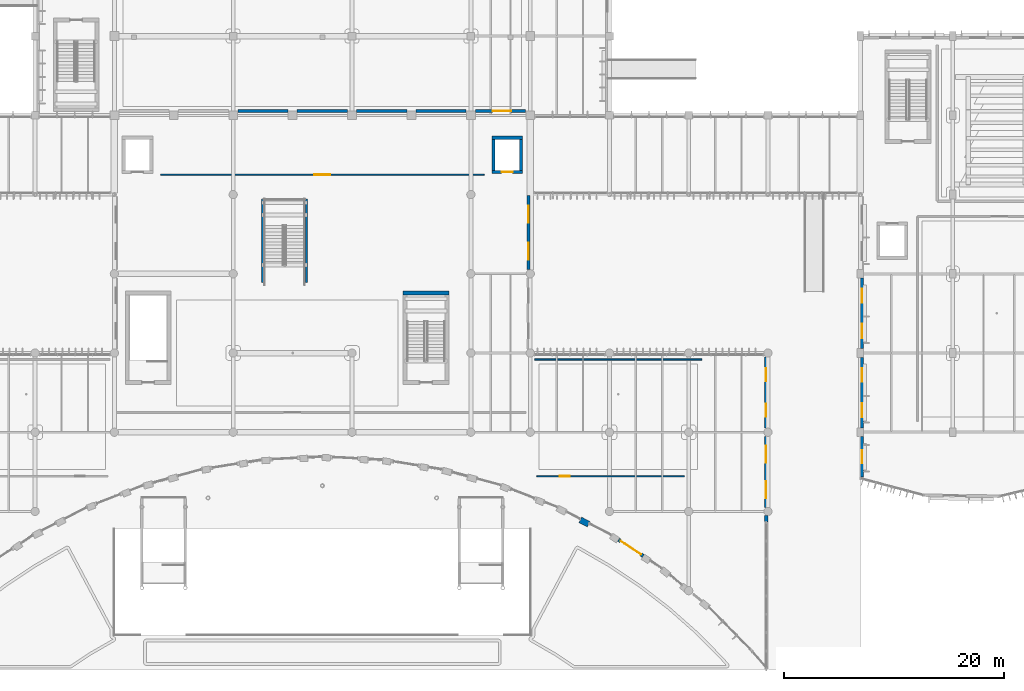
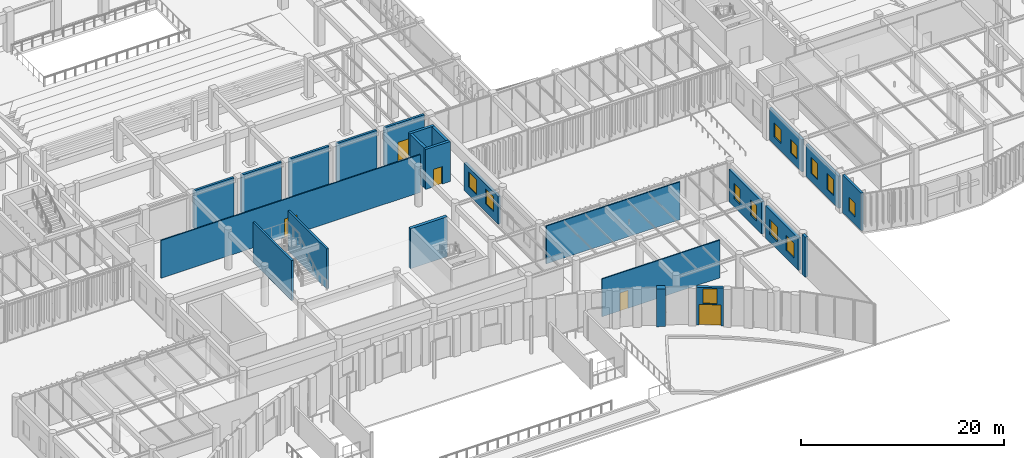
# One storey, part 34 of 122: 24 walls, 12 windows, 5 doors, 17 openings.
"""IFC4 building model written with IfcOpenShell, lengths in metres."""

from ifc_helpers import new_model, si_unit, direction, frame, frame_2d, origin, place, context, subcontext, project, spatial, rectangle, extrude, material, layer, layer_set, type_object, element, fill, save


model = new_model("IFC4")

# Units and contexts
model_context = context("Model", 3, precision=1e-05, world=origin(), true_north=direction((0.0, 1.0)))
body_context = subcontext(model_context, "Body", "Model", "MODEL_VIEW")
ifc_project = project(units=[si_unit("LENGTHUNIT", "METRE"), si_unit("AREAUNIT", "SQUARE_METRE"), si_unit("VOLUMEUNIT", "CUBIC_METRE"), si_unit("PLANEANGLEUNIT", "RADIAN"), si_unit("MASSUNIT", "GRAM", prefix="KILO")], contexts=[model_context])

# Site, building, storey
site_placement = place(None, origin())
site = spatial("IfcSite", under=ifc_project, at=site_placement, CompositionType="ELEMENT")
building_placement = place(site_placement, origin())
building = spatial("IfcBuilding", under=site, at=building_placement, Name="Tazoul Stagehouse", CompositionType="ELEMENT")
storey_placement = place(building_placement, origin())
storey = spatial("IfcBuildingStorey", under=building, at=storey_placement, Name="L00", CompositionType="ELEMENT", Elevation=0.0)

# Wall, opening, door
ifc_material_1 = material(Name="Gypsum Acoustic Partition", Category="gypsum")
ifc_layer_1 = layer(ifc_material_1, 0.25, Name="Gypsum Acoustic Partition")
ifc_layer_set_1 = layer_set([ifc_layer_1], Name="Gypsum Acoustic Partition")
wall_type_1 = type_object("IfcWallType", Name="Acoustic Hall Double-Stud Partition 250", PredefinedType="PARTITIONING", material=ifc_layer_set_1)
wall_1_placement = place(storey_placement, frame((94.97998046875, 52.199951171875, 0.0), z_axis=(0.0, 0.0, 1.0), x_axis=(-1.0, 0.0, 0.0)))
wall_1 = element("IfcWall", 1, at=wall_1_placement, inside=storey, type_object=wall_type_1, Name="L00 Partition PW-250 (PW-RM-L00-019-S-S1)", PredefinedType="PARTITIONING", context=body_context, shape_type="SweptSolid", body=[
    extrude(rectangle(XDim=4.56005859375, YDim=0.25, at=frame_2d((2.280029296875, 0.0))), origin(), (0.0, 0.0, 1.0), 4.5400390625),
])
opening_1_placement = place(wall_1_placement, frame((1.31005859375, 0.0, 0.0)))
opening_1 = element("IfcOpeningElement", 2, at=opening_1_placement, cuts=wall_1, Name="Opening ID-14", PredefinedType="OPENING", context=body_context, shape_type="SweptSolid", body=[
    extrude(rectangle(XDim=1.699951171875, YDim=2.25, at=frame_2d((0.85009765625, 1.125))), frame((0.0, 0.14501953125, 0.0), z_axis=(0.0, -1.0, 0.0), x_axis=(1.0, 0.0, 0.0)), (0.0, 0.0, 1.0), 0.2900390625),
])
ifc_material_2 = material(Name="Acoustic Cedar Timber", Category="wood")
door_type_1 = type_object("IfcDoorType", Name="Auditorium Acoustic Sound-Lock Door 1700x2250", OperationType="DOUBLE_DOOR_SINGLE_SWING", PredefinedType="DOOR", material=ifc_material_2)
door_1_placement = place(opening_1_placement, origin())
door_1 = element("IfcDoor", 3, at=door_1_placement, inside=storey, type_object=door_type_1, Name="L00 Main Proscenium Theatre Auditorium Door", OperationType="DOUBLE_DOOR_SINGLE_SWING", OverallHeight=2.25, OverallWidth=1.699951171875, PredefinedType="DOOR", context=body_context, shape_type="SweptSolid", body=[
    extrude(rectangle(XDim=1.699951171875, YDim=2.25, at=frame_2d((0.85009765625, 1.125))), frame((0.0, 0.02490234375, 0.0), z_axis=(0.0, -1.0, 0.0), x_axis=(1.0, 0.0, 0.0)), (0.0, 0.0, 1.0), 0.050048828125),
])
fill(opening_1, door_1)

# Walls
wall_2_placement = place(storey_placement, frame((89.580078125, 52.199951171875, 0.0), z_axis=(0.0, 0.0, 1.0), x_axis=(-1.0, 0.0, 0.0)))
element("IfcWall", 4, at=wall_2_placement, inside=storey, type_object=wall_type_1, Name="L00 Partition PW-250 (PW-RM-L00-019-S-S2)", PredefinedType="PARTITIONING", context=body_context, shape_type="SweptSolid", body=[
    extrude(rectangle(XDim=4.56005859375, YDim=0.25, at=frame_2d((2.280029296875, 0.0))), origin(), (0.0, 0.0, 1.0), 4.5400390625),
])
wall_3_placement = place(storey_placement, frame((84.179931640625, 52.199951171875, 0.0), z_axis=(0.0, 0.0, 1.0), x_axis=(-1.0, 0.0, 0.0)))
element("IfcWall", 5, at=wall_3_placement, inside=storey, type_object=wall_type_1, Name="L00 Partition PW-250 (PW-RM-L00-019-S-S3)", PredefinedType="PARTITIONING", context=body_context, shape_type="SweptSolid", body=[
    extrude(rectangle(XDim=4.559814453125, YDim=0.25, at=frame_2d((2.27978515625, 0.0))), origin(), (0.0, 0.0, 1.0), 4.5400390625),
])
wall_4_placement = place(storey_placement, frame((78.780029296875, 52.199951171875, 0.0), z_axis=(0.0, 0.0, 1.0), x_axis=(-1.0, 0.0, 0.0)))
element("IfcWall", 6, at=wall_4_placement, inside=storey, type_object=wall_type_1, Name="L00 Partition PW-250 (PW-RM-L00-019-S-S4)", PredefinedType="PARTITIONING", context=body_context, shape_type="SweptSolid", body=[
    extrude(rectangle(XDim=4.56005859375, YDim=0.25, at=frame_2d((2.280029296875, 0.0))), origin(), (0.0, 0.0, 1.0), 4.5400390625),
])
wall_5_placement = place(storey_placement, frame((73.3798828125, 52.199951171875, 0.0), z_axis=(0.0, 0.0, 1.0), x_axis=(-1.0, 0.0, 0.0)))
element("IfcWall", 7, at=wall_5_placement, inside=storey, type_object=wall_type_1, Name="L00 Partition PW-250 (PW-RM-L00-019-S-S5)", PredefinedType="PARTITIONING", context=body_context, shape_type="SweptSolid", body=[
    extrude(rectangle(XDim=4.559814453125, YDim=0.25, at=frame_2d((2.27978515625, 0.0))), origin(), (0.0, 0.0, 1.0), 4.5400390625),
])
ifc_material_3 = material(Name="Ochre Pressed Clay Brick and Concrete C35/45 Backing", Category="masonry")
ifc_layer_2 = layer(ifc_material_3, 0.56005859375, Name="Ochre Pressed Clay Brick and Concrete C35/45 Backing")
ifc_layer_set_2 = layer_set([ifc_layer_2], Name="Ochre Pressed Clay Brick and Concrete C35/45 Backing")
wall_type_2 = type_object("IfcWallType", Name="Concave Crescent Deep Sculpted Brick Pier 560", PredefinedType="SOLIDWALL", material=ifc_layer_set_2)
wall_6_placement = place(storey_placement, frame((99.941162109375, 15.031982421875, 0.0), z_axis=(0.0, 0.0, 1.0), x_axis=(0.88838537898, -0.459098484439, 0.0)))
element("IfcWall", 8, at=wall_6_placement, inside=storey, type_object=wall_type_2, Name="L00 Wall EW-560 (WALL-V5-PIER-C14-2)", PredefinedType="SOLIDWALL", context=body_context, shape_type="SweptSolid", body=[
    extrude(rectangle(XDim=0.85986328125, YDim=0.56005859375, at=frame_2d((0.429931640625, 0.0))), origin(), (0.0, 0.0, 1.0), 4.5400390625),
])

# Wall, openings, window, door
ifc_material_4 = material(Name="Ochre Fired Clay Facing Brick Masonry", Category="masonry")
ifc_layer_3 = layer(ifc_material_4, 0.320068359375, Name="Ochre Fired Clay Facing Brick Masonry")
ifc_layer_set_3 = layer_set([ifc_layer_3], Name="Ochre Fired Clay Facing Brick Masonry")
wall_type_3 = type_object("IfcWallType", Name="Concave Crescent Ochre Brick Facade Wall 320", PredefinedType="SOLIDWALL", material=ifc_layer_set_3)
wall_7_placement = place(storey_placement, frame((103.423828125, 13.2314453125, 0.0), z_axis=(0.0, 0.0, 1.0), x_axis=(0.834786932097, -0.550573135923, 0.0)))
wall_7 = element("IfcWall", 9, at=wall_7_placement, inside=storey, type_object=wall_type_3, Name="L00 Wall EW-320 (WALL-V5-ENT-C15)", PredefinedType="SOLIDWALL", context=body_context, shape_type="SweptSolid", body=[
    extrude(rectangle(XDim=2.68017578125, YDim=0.320068359375, at=frame_2d((1.340087890625, 0.0))), origin(), (0.0, 0.0, 1.0), 4.5400390625),
])
opening_2_placement = place(wall_7_placement, frame((0.639892578125, 0.0, 2.580078125)))
opening_2 = element("IfcOpeningElement", 10, at=opening_2_placement, cuts=wall_7, Name="Opening WN-04", PredefinedType="OPENING", context=body_context, shape_type="SweptSolid", body=[
    extrude(rectangle(XDim=1.39990234375, YDim=1.800048828125, at=frame_2d((0.699951171875, 0.89990234375))), frame((0.0, 0.179931640625, 0.0), z_axis=(0.0, -1.0, 0.0), x_axis=(1.0, 0.0, 0.0)), (0.0, 0.0, 1.0), 0.360107421875),
])
opening_3_placement = place(wall_7_placement, frame((0.239990234375, 0.0, 0.0)))
opening_3 = element("IfcOpeningElement", 11, at=opening_3_placement, cuts=wall_7, Name="Opening ED-01", PredefinedType="OPENING", context=body_context, shape_type="SweptSolid", body=[
    extrude(rectangle(XDim=2.199951171875, YDim=2.5, at=frame_2d((1.10009765625, 1.25))), frame((0.0, 0.179931640625, 0.0), z_axis=(0.0, -1.0, 0.0), x_axis=(1.0, 0.0, 0.0)), (0.0, 0.0, 1.0), 0.360107421875),
])
ifc_material_5 = material(Name="Double Low-E Acoustic Laminated Glass", Category="glass")
window_type_1 = type_object("IfcWindowType", Name="Clerestory Acoustic Fixed Light 1400x1800", PartitioningType="SINGLE_PANEL", PredefinedType="WINDOW", material=ifc_material_5)
window_1_placement = place(opening_2_placement, origin())
window_1 = element("IfcWindow", 12, at=window_1_placement, inside=storey, type_object=window_type_1, Name="L00 Window WN-04 (WN-V5-TRN-C15)", OverallHeight=1.800048828125, OverallWidth=1.39990234375, PartitioningType="SINGLE_PANEL", PredefinedType="WINDOW", context=body_context, shape_type="SweptSolid", body=[
    extrude(rectangle(XDim=1.39990234375, YDim=1.800048828125, at=frame_2d((0.699951171875, 0.89990234375))), frame((0.0, 0.030029296875, 0.0), z_axis=(0.0, -1.0, 0.0), x_axis=(1.0, 0.0, 0.0)), (0.0, 0.0, 1.0), 0.06005859375),
])
fill(opening_2, window_1)
door_type_2 = type_object("IfcDoorType", Name="Main Foyer Glazed Double Entrance Door 2200x2500", OperationType="DOUBLE_SWING_LEFT", PredefinedType="DOOR", material=ifc_material_5)
door_2_placement = place(opening_3_placement, origin())
door_2 = element("IfcDoor", 13, at=door_2_placement, inside=storey, type_object=door_type_2, Name="L00 Door ED-01 (DR-V5-L00-C15)", OperationType="SINGLE_SWING_LEFT", OverallHeight=2.5, OverallWidth=2.199951171875, PredefinedType="DOOR", context=body_context, shape_type="SweptSolid", body=[
    extrude(rectangle(XDim=2.199951171875, YDim=2.5, at=frame_2d((1.10009765625, 1.25))), frame((0.0, 0.02490234375, 0.0), z_axis=(0.0, -1.0, 0.0), x_axis=(1.0, 0.0, 0.0)), (0.0, 0.0, 1.0), 0.050048828125),
])
fill(opening_3, door_2)

# Wall
wall_8_placement = place(storey_placement, frame((116.840087890625, 14.820068359375, 0.0), z_axis=(0.0, 0.0, 1.0), x_axis=(0.0, 1.0, 0.0)))
element("IfcWall", 14, at=wall_8_placement, inside=storey, type_object=wall_type_3, Name="L00 Wall EW-320 (WALL-V5-E-L00-S1)", PredefinedType="SOLIDWALL", context=body_context, shape_type="SweptSolid", body=[
    extrude(rectangle(XDim=0.599853515625, YDim=0.320068359375, at=frame_2d((0.2998046875, 0.0))), origin(), (0.0, 0.0, 1.0), 4.800048828125),
])

# Wall, openings, windows
wall_9_placement = place(storey_placement, frame((116.840087890625, 16.179931640625, 0.0), z_axis=(0.0, 0.0, 1.0), x_axis=(0.0, 1.0, 0.0)))
wall_9 = element("IfcWall", 15, at=wall_9_placement, inside=storey, type_object=wall_type_3, Name="L00 Wall EW-320 (WALL-V5-E-L00-S2)", PredefinedType="SOLIDWALL", context=body_context, shape_type="SweptSolid", body=[
    extrude(rectangle(XDim=6.440185546875, YDim=0.320068359375, at=frame_2d((3.22021484375, 0.0))), origin(), (0.0, 0.0, 1.0), 3.873046875),
])
opening_4_placement = place(wall_9_placement, frame((0.8349609375, 0.0, 0.949951171875)))
opening_4 = element("IfcOpeningElement", 16, at=opening_4_placement, cuts=wall_9, Name="Opening WN-29", PredefinedType="OPENING", context=body_context, shape_type="SweptSolid", body=[
    extrude(rectangle(XDim=1.550048828125, YDim=1.800048828125, at=frame_2d((0.77490234375, 0.89990234375))), frame((0.0, 0.179931640625, 0.0), z_axis=(0.0, -1.0, 0.0), x_axis=(1.0, 0.0, 0.0)), (0.0, 0.0, 1.0), 0.360107421875),
])
opening_5_placement = place(wall_9_placement, frame((4.054931640625, 0.0, 0.949951171875)))
opening_5 = element("IfcOpeningElement", 17, at=opening_5_placement, cuts=wall_9, Name="Opening WN-29", PredefinedType="OPENING", context=body_context, shape_type="SweptSolid", body=[
    extrude(rectangle(XDim=1.550048828125, YDim=1.800048828125, at=frame_2d((0.77490234375, 0.89990234375))), frame((0.0, 0.179931640625, 0.0), z_axis=(0.0, -1.0, 0.0), x_axis=(1.0, 0.0, 0.0)), (0.0, 0.0, 1.0), 0.360107421875),
])
window_type_2 = type_object("IfcWindowType", Name="Black-Box Studio Window 1550x1800", PartitioningType="SINGLE_PANEL", PredefinedType="WINDOW", material=ifc_material_5)
window_2_placement = place(opening_4_placement, origin())
window_2 = element("IfcWindow", 18, at=window_2_placement, inside=storey, type_object=window_type_2, Name="L00 Window WN-29 (WALL-V5-E-L00-S2-W1)", OverallHeight=1.800048828125, OverallWidth=1.550048828125, PartitioningType="SINGLE_PANEL", PredefinedType="WINDOW", context=body_context, shape_type="SweptSolid", body=[
    extrude(rectangle(XDim=1.550048828125, YDim=1.800048828125, at=frame_2d((0.77490234375, 0.89990234375))), frame((0.0, 0.030029296875, 0.0), z_axis=(0.0, -1.0, 0.0), x_axis=(1.0, 0.0, 0.0)), (0.0, 0.0, 1.0), 0.06005859375),
])
fill(opening_4, window_2)
window_3_placement = place(opening_5_placement, origin())
window_3 = element("IfcWindow", 19, at=window_3_placement, inside=storey, type_object=window_type_2, Name="L00 Window WN-29 (WALL-V5-E-L00-S2-W2)", OverallHeight=1.800048828125, OverallWidth=1.550048828125, PartitioningType="SINGLE_PANEL", PredefinedType="WINDOW", context=body_context, shape_type="SweptSolid", body=[
    extrude(rectangle(XDim=1.550048828125, YDim=1.800048828125, at=frame_2d((0.77490234375, 0.89990234375))), frame((0.0, 0.030029296875, 0.0), z_axis=(0.0, -1.0, 0.0), x_axis=(1.0, 0.0, 0.0)), (0.0, 0.0, 1.0), 0.06005859375),
])
fill(opening_5, window_3)

wall_10_placement = place(storey_placement, frame((116.840087890625, 23.3798828125, 0.0), z_axis=(0.0, 0.0, 1.0), x_axis=(0.0, 1.0, 0.0)))
wall_10 = element("IfcWall", 20, at=wall_10_placement, inside=storey, type_object=wall_type_3, Name="L00 Wall EW-320 (WALL-V5-E-L00-S3)", PredefinedType="SOLIDWALL", context=body_context, shape_type="SweptSolid", body=[
    extrude(rectangle(XDim=6.440185546875, YDim=0.320068359375, at=frame_2d((3.22021484375, 0.0))), origin(), (0.0, 0.0, 1.0), 3.873046875),
])
opening_6_placement = place(wall_10_placement, frame((1.02490234375, 0.0, 0.949951171875)))
opening_6 = element("IfcOpeningElement", 21, at=opening_6_placement, cuts=wall_10, Name="Opening WN-67", PredefinedType="OPENING", context=body_context, shape_type="SweptSolid", body=[
    extrude(rectangle(XDim=1.169921875, YDim=1.85009765625, at=frame_2d((0.5849609375, 0.925048828125))), frame((0.0, 0.179931640625, 0.0), z_axis=(0.0, -1.0, 0.0), x_axis=(1.0, 0.0, 0.0)), (0.0, 0.0, 1.0), 0.360107421875),
])
opening_7_placement = place(wall_10_placement, frame((4.2451171875, 0.0, 0.949951171875)))
opening_7 = element("IfcOpeningElement", 22, at=opening_7_placement, cuts=wall_10, Name="Opening WN-67", PredefinedType="OPENING", context=body_context, shape_type="SweptSolid", body=[
    extrude(rectangle(XDim=1.169921875, YDim=1.85009765625, at=frame_2d((0.5849609375, 0.925048828125))), frame((0.0, 0.179931640625, 0.0), z_axis=(0.0, -1.0, 0.0), x_axis=(1.0, 0.0, 0.0)), (0.0, 0.0, 1.0), 0.360107421875),
])
window_type_3 = type_object("IfcWindowType", Name="Architectural Acoustic Facade Window 1170x1850", PartitioningType="SINGLE_PANEL", PredefinedType="WINDOW", material=ifc_material_5)
window_4_placement = place(opening_6_placement, origin())
window_4 = element("IfcWindow", 23, at=window_4_placement, inside=storey, type_object=window_type_3, Name="L00 Window WN-67 (WALL-V5-E-L00-S3-W1)", OverallHeight=1.85009765625, OverallWidth=1.169921875, PartitioningType="SINGLE_PANEL", PredefinedType="WINDOW", context=body_context, shape_type="SweptSolid", body=[
    extrude(rectangle(XDim=1.169921875, YDim=1.85009765625, at=frame_2d((0.5849609375, 0.925048828125))), frame((0.0, 0.030029296875, 0.0), z_axis=(0.0, -1.0, 0.0), x_axis=(1.0, 0.0, 0.0)), (0.0, 0.0, 1.0), 0.06005859375),
])
fill(opening_6, window_4)
window_5_placement = place(opening_7_placement, origin())
window_5 = element("IfcWindow", 24, at=window_5_placement, inside=storey, type_object=window_type_3, Name="L00 Window WN-67 (WALL-V5-E-L00-S3-W2)", OverallHeight=1.85009765625, OverallWidth=1.169921875, PartitioningType="SINGLE_PANEL", PredefinedType="WINDOW", context=body_context, shape_type="SweptSolid", body=[
    extrude(rectangle(XDim=1.169921875, YDim=1.85009765625, at=frame_2d((0.5849609375, 0.925048828125))), frame((0.0, 0.030029296875, 0.0), z_axis=(0.0, -1.0, 0.0), x_axis=(1.0, 0.0, 0.0)), (0.0, 0.0, 1.0), 0.06005859375),
])
fill(opening_7, window_5)

# Wall
ifc_material_6 = material(Name="Concrete C40/50", Category="concrete")
ifc_layer_4 = layer(ifc_material_6, 0.35009765625, Name="Concrete C40/50")
ifc_layer_set_4 = layer_set([ifc_layer_4], Name="Concrete C40/50")
wall_type_4 = type_object("IfcWallType", Name="Core Shear Wall 350", PredefinedType="SOLIDWALL", material=ifc_layer_set_4)
wall_11_placement = place(storey_placement, frame((83.85009765625, 35.655029296875, 0.0), z_axis=(0.0, 0.0, 1.0), x_axis=(1.0, 0.0, 0.0)))
element("IfcWall", 25, at=wall_11_placement, inside=storey, type_object=wall_type_4, Name="L00 Core Wall CW-350 (SHF-ST-08-north)", PredefinedType="SOLIDWALL", context=body_context, shape_type="SweptSolid", body=[
    extrude(rectangle(XDim=4.14990234375, YDim=0.35009765625, at=frame_2d((2.074951171875, 0.0))), origin(), (0.0, 0.0, 1.0), 4.800048828125),
])

# Wall, opening, window
ifc_material_7 = material(Name="Precast concrete C40/50", Category="concrete")
ifc_layer_5 = layer(ifc_material_7, 0.260009765625, Name="Precast concrete C40/50")
ifc_layer_set_5 = layer_set([ifc_layer_5], Name="Precast concrete C40/50")
wall_type_5 = type_object("IfcWallType", Name="Curved Studio Drum Terracotta-Concrete Wall 260", PredefinedType="SOLIDWALL", material=ifc_layer_set_5)
wall_12_placement = place(storey_placement, frame((125.550048828125, 18.949951171875, 0.0), z_axis=(0.0, 0.0, 1.0), x_axis=(0.0, 1.0, 0.0)))
wall_12 = element("IfcWall", 26, at=wall_12_placement, inside=storey, type_object=wall_type_5, Name="L00 Wall EW-260 (WALL-V4-W-L00-S1)", PredefinedType="SOLIDWALL", context=body_context, shape_type="SweptSolid", body=[
    extrude(rectangle(XDim=3.64501953125, YDim=0.260009765625, at=frame_2d((1.822509765625, 0.0))), origin(), (0.0, 0.0, 1.0), 4.5400390625),
])
opening_8_placement = place(wall_12_placement, frame((1.222412109375, 0.0, 0.949951171875)))
opening_8 = element("IfcOpeningElement", 27, at=opening_8_placement, cuts=wall_12, Name="Opening WN-43", PredefinedType="OPENING", context=body_context, shape_type="SweptSolid", body=[
    extrude(rectangle(XDim=1.199951171875, YDim=1.64990234375, at=frame_2d((0.60009765625, 0.824951171875))), frame((0.0, 0.14990234375, 0.0), z_axis=(0.0, -1.0, 0.0), x_axis=(1.0, 0.0, 0.0)), (0.0, 0.0, 1.0), 0.300048828125),
])
window_type_4 = type_object("IfcWindowType", Name="Architectural Acoustic Facade Window 1200x1650", PartitioningType="SINGLE_PANEL", PredefinedType="WINDOW", material=ifc_material_5)
window_6_placement = place(opening_8_placement, origin())
window_6 = element("IfcWindow", 28, at=window_6_placement, inside=storey, type_object=window_type_4, Name="L00 Window WN-43 (WALL-V4-W-L00-S1-W1)", OverallHeight=1.64990234375, OverallWidth=1.199951171875, PartitioningType="SINGLE_PANEL", PredefinedType="WINDOW", context=body_context, shape_type="SweptSolid", body=[
    extrude(rectangle(XDim=1.199951171875, YDim=1.64990234375, at=frame_2d((0.60009765625, 0.824951171875))), frame((0.0, 0.030029296875, 0.0), z_axis=(0.0, -1.0, 0.0), x_axis=(1.0, 0.0, 0.0)), (0.0, 0.0, 1.0), 0.06005859375),
])
fill(opening_8, window_6)

# Wall, openings, windows
wall_13_placement = place(storey_placement, frame((125.550048828125, 23.405029296875, 0.0), z_axis=(0.0, 0.0, 1.0), x_axis=(0.0, 1.0, 0.0)))
wall_13 = element("IfcWall", 29, at=wall_13_placement, inside=storey, type_object=wall_type_5, Name="L00 Wall EW-260 (WALL-V4-W-L00-S2)", PredefinedType="SOLIDWALL", context=body_context, shape_type="SweptSolid", body=[
    extrude(rectangle(XDim=6.389892578125, YDim=0.260009765625, at=frame_2d((3.19482421875, 0.0))), origin(), (0.0, 0.0, 1.0), 3.873046875),
])
opening_9_placement = place(wall_13_placement, frame((0.972412109375, 0.0, 0.949951171875)))
opening_9 = element("IfcOpeningElement", 30, at=opening_9_placement, cuts=wall_13, Name="Opening WN-28", PredefinedType="OPENING", context=body_context, shape_type="SweptSolid", body=[
    extrude(rectangle(XDim=1.25, YDim=1.89990234375, at=frame_2d((0.625, 0.949951171875))), frame((0.0, 0.14990234375, 0.0), z_axis=(0.0, -1.0, 0.0), x_axis=(1.0, 0.0, 0.0)), (0.0, 0.0, 1.0), 0.300048828125),
])
opening_10_placement = place(wall_13_placement, frame((4.16748046875, 0.0, 0.949951171875)))
opening_10 = element("IfcOpeningElement", 31, at=opening_10_placement, cuts=wall_13, Name="Opening WN-28", PredefinedType="OPENING", context=body_context, shape_type="SweptSolid", body=[
    extrude(rectangle(XDim=1.25, YDim=1.89990234375, at=frame_2d((0.625, 0.949951171875))), frame((0.0, 0.14990234375, 0.0), z_axis=(0.0, -1.0, 0.0), x_axis=(1.0, 0.0, 0.0)), (0.0, 0.0, 1.0), 0.300048828125),
])
window_type_5 = type_object("IfcWindowType", Name="Black-Box Studio Window 1250x1900", PartitioningType="SINGLE_PANEL", PredefinedType="WINDOW", material=ifc_material_5)
window_7_placement = place(opening_9_placement, origin())
window_7 = element("IfcWindow", 32, at=window_7_placement, inside=storey, type_object=window_type_5, Name="L00 Window WN-28 (WALL-V4-W-L00-S2-W1)", OverallHeight=1.89990234375, OverallWidth=1.25, PartitioningType="SINGLE_PANEL", PredefinedType="WINDOW", context=body_context, shape_type="SweptSolid", body=[
    extrude(rectangle(XDim=1.25, YDim=1.89990234375, at=frame_2d((0.625, 0.949951171875))), frame((0.0, 0.030029296875, 0.0), z_axis=(0.0, -1.0, 0.0), x_axis=(1.0, 0.0, 0.0)), (0.0, 0.0, 1.0), 0.06005859375),
])
fill(opening_9, window_7)
window_8_placement = place(opening_10_placement, origin())
window_8 = element("IfcWindow", 33, at=window_8_placement, inside=storey, type_object=window_type_5, Name="L00 Window WN-28 (WALL-V4-W-L00-S2-W2)", OverallHeight=1.89990234375, OverallWidth=1.25, PartitioningType="SINGLE_PANEL", PredefinedType="WINDOW", context=body_context, shape_type="SweptSolid", body=[
    extrude(rectangle(XDim=1.25, YDim=1.89990234375, at=frame_2d((0.625, 0.949951171875))), frame((0.0, 0.030029296875, 0.0), z_axis=(0.0, -1.0, 0.0), x_axis=(1.0, 0.0, 0.0)), (0.0, 0.0, 1.0), 0.06005859375),
])
fill(opening_10, window_8)

wall_14_placement = place(storey_placement, frame((125.550048828125, 30.60498046875, 0.0), z_axis=(0.0, 0.0, 1.0), x_axis=(0.0, 1.0, 0.0)))
wall_14 = element("IfcWall", 34, at=wall_14_placement, inside=storey, type_object=wall_type_5, Name="L00 Wall EW-260 (WALL-V4-W-L00-S3)", PredefinedType="SOLIDWALL", context=body_context, shape_type="SweptSolid", body=[
    extrude(rectangle(XDim=6.39013671875, YDim=0.260009765625, at=frame_2d((3.195068359375, 0.0))), origin(), (0.0, 0.0, 1.0), 3.873046875),
])
opening_11_placement = place(wall_14_placement, frame((0.947509765625, 0.0, 0.949951171875)))
opening_11 = element("IfcOpeningElement", 35, at=opening_11_placement, cuts=wall_14, Name="Opening WN-31", PredefinedType="OPENING", context=body_context, shape_type="SweptSolid", body=[
    extrude(rectangle(XDim=1.300048828125, YDim=1.64990234375, at=frame_2d((0.64990234375, 0.824951171875))), frame((0.0, 0.14990234375, 0.0), z_axis=(0.0, -1.0, 0.0), x_axis=(1.0, 0.0, 0.0)), (0.0, 0.0, 1.0), 0.300048828125),
])
opening_12_placement = place(wall_14_placement, frame((4.142578125, 0.0, 0.949951171875)))
opening_12 = element("IfcOpeningElement", 36, at=opening_12_placement, cuts=wall_14, Name="Opening WN-31", PredefinedType="OPENING", context=body_context, shape_type="SweptSolid", body=[
    extrude(rectangle(XDim=1.300048828125, YDim=1.64990234375, at=frame_2d((0.64990234375, 0.824951171875))), frame((0.0, 0.14990234375, 0.0), z_axis=(0.0, -1.0, 0.0), x_axis=(1.0, 0.0, 0.0)), (0.0, 0.0, 1.0), 0.300048828125),
])
window_type_6 = type_object("IfcWindowType", Name="Stagehouse Technical Light 1300x1650", PartitioningType="SINGLE_PANEL", PredefinedType="WINDOW", material=ifc_material_5)
window_9_placement = place(opening_11_placement, origin())
window_9 = element("IfcWindow", 37, at=window_9_placement, inside=storey, type_object=window_type_6, Name="L00 Window WN-31 (WALL-V4-W-L00-S3-W1)", OverallHeight=1.64990234375, OverallWidth=1.300048828125, PartitioningType="SINGLE_PANEL", PredefinedType="WINDOW", context=body_context, shape_type="SweptSolid", body=[
    extrude(rectangle(XDim=1.300048828125, YDim=1.64990234375, at=frame_2d((0.64990234375, 0.824951171875))), frame((0.0, 0.030029296875, 0.0), z_axis=(0.0, -1.0, 0.0), x_axis=(1.0, 0.0, 0.0)), (0.0, 0.0, 1.0), 0.06005859375),
])
fill(opening_11, window_9)
window_10_placement = place(opening_12_placement, origin())
window_10 = element("IfcWindow", 38, at=window_10_placement, inside=storey, type_object=window_type_6, Name="L00 Window WN-31 (WALL-V4-W-L00-S3-W2)", OverallHeight=1.64990234375, OverallWidth=1.300048828125, PartitioningType="SINGLE_PANEL", PredefinedType="WINDOW", context=body_context, shape_type="SweptSolid", body=[
    extrude(rectangle(XDim=1.300048828125, YDim=1.64990234375, at=frame_2d((0.64990234375, 0.824951171875))), frame((0.0, 0.030029296875, 0.0), z_axis=(0.0, -1.0, 0.0), x_axis=(1.0, 0.0, 0.0)), (0.0, 0.0, 1.0), 0.06005859375),
])
fill(opening_12, window_10)

ifc_layer_6 = layer(ifc_material_7, 0.280029296875, Name="Precast concrete C40/50")
ifc_layer_set_6 = layer_set([ifc_layer_6], Name="Precast concrete C40/50")
wall_type_6 = type_object("IfcWallType", Name="Insulated Precast Acoustic Cladding Wall 280", PredefinedType="SOLIDWALL", material=ifc_layer_set_6)
wall_15_placement = place(storey_placement, frame((95.239990234375, 37.780029296875, 0.0), z_axis=(0.0, 0.0, 1.0), x_axis=(0.0, 1.0, 0.0)))
wall_15 = element("IfcWall", 39, at=wall_15_placement, inside=storey, type_object=wall_type_6, Name="L00 Wall EW-280 (WALL-V5-THRE-L00-S2)", PredefinedType="SOLIDWALL", context=body_context, shape_type="SweptSolid", body=[
    extrude(rectangle(XDim=6.719970703125, YDim=0.280029296875, at=frame_2d((3.35986328125, 0.0))), origin(), (0.0, 0.0, 1.0), 3.322998046875),
])
opening_13_placement = place(wall_15_placement, frame((0.905029296875, 0.0, 0.949951171875)))
opening_13 = element("IfcOpeningElement", 40, at=opening_13_placement, cuts=wall_15, Name="Opening WN-29", PredefinedType="OPENING", context=body_context, shape_type="SweptSolid", body=[
    extrude(rectangle(XDim=1.550048828125, YDim=1.800048828125, at=frame_2d((0.77490234375, 0.89990234375))), frame((0.0, 0.159912109375, 0.0), z_axis=(0.0, -1.0, 0.0), x_axis=(1.0, 0.0, 0.0)), (0.0, 0.0, 1.0), 0.320068359375),
])
opening_14_placement = place(wall_15_placement, frame((4.264892578125, 0.0, 0.949951171875)))
opening_14 = element("IfcOpeningElement", 41, at=opening_14_placement, cuts=wall_15, Name="Opening WN-29", PredefinedType="OPENING", context=body_context, shape_type="SweptSolid", body=[
    extrude(rectangle(XDim=1.550048828125, YDim=1.800048828125, at=frame_2d((0.77490234375, 0.89990234375))), frame((0.0, 0.159912109375, 0.0), z_axis=(0.0, -1.0, 0.0), x_axis=(1.0, 0.0, 0.0)), (0.0, 0.0, 1.0), 0.320068359375),
])
window_11_placement = place(opening_13_placement, origin())
window_11 = element("IfcWindow", 42, at=window_11_placement, inside=storey, type_object=window_type_2, Name="L00 Window WN-29 (WALL-V5-THRE-L00-S2-W1)", OverallHeight=1.800048828125, OverallWidth=1.550048828125, PartitioningType="SINGLE_PANEL", PredefinedType="WINDOW", context=body_context, shape_type="SweptSolid", body=[
    extrude(rectangle(XDim=1.550048828125, YDim=1.800048828125, at=frame_2d((0.77490234375, 0.89990234375))), frame((0.0, 0.030029296875, 0.0), z_axis=(0.0, -1.0, 0.0), x_axis=(1.0, 0.0, 0.0)), (0.0, 0.0, 1.0), 0.06005859375),
])
fill(opening_13, window_11)
window_12_placement = place(opening_14_placement, origin())
window_12 = element("IfcWindow", 43, at=window_12_placement, inside=storey, type_object=window_type_2, Name="L00 Window WN-29 (WALL-V5-THRE-L00-S2-W2)", OverallHeight=1.800048828125, OverallWidth=1.550048828125, PartitioningType="SINGLE_PANEL", PredefinedType="WINDOW", context=body_context, shape_type="SweptSolid", body=[
    extrude(rectangle(XDim=1.550048828125, YDim=1.800048828125, at=frame_2d((0.77490234375, 0.89990234375))), frame((0.0, 0.030029296875, 0.0), z_axis=(0.0, -1.0, 0.0), x_axis=(1.0, 0.0, 0.0)), (0.0, 0.0, 1.0), 0.06005859375),
])
fill(opening_14, window_12)

# Wall, opening, door
ifc_layer_7 = layer(ifc_material_6, 0.300048828125, Name="Concrete C40/50")
ifc_layer_set_7 = layer_set([ifc_layer_7], Name="Concrete C40/50")
wall_type_7 = type_object("IfcWallType", Name="Lift Shaft Wall 300", PredefinedType="SOLIDWALL", material=ifc_layer_set_7)
wall_16_placement = place(storey_placement, frame((94.699951171875, 46.64990234375, 0.0), z_axis=(0.0, 0.0, 1.0), x_axis=(-1.0, 0.0, 0.0)))
wall_16 = element("IfcWall", 44, at=wall_16_placement, inside=storey, type_object=wall_type_7, Name="L00 Core Wall CW-300 (LSHF-PL-02-south)", PredefinedType="SOLIDWALL", context=body_context, shape_type="SweptSolid", body=[
    extrude(rectangle(XDim=2.800048828125, YDim=0.300048828125, at=frame_2d((1.39990234375, 0.0))), origin(), (0.0, 0.0, 1.0), 4.800048828125),
])
opening_15_placement = place(wall_16_placement, frame((0.89990234375, 0.0, 0.0)))
opening_15 = element("IfcOpeningElement", 45, at=opening_15_placement, cuts=wall_16, Name="Opening LD-04", PredefinedType="OPENING", context=body_context, shape_type="SweptSolid", body=[
    extrude(rectangle(XDim=1.0, YDim=2.10009765625, at=frame_2d((0.5, 1.050048828125))), frame((0.0, 0.169921875, 0.0), z_axis=(0.0, -1.0, 0.0), x_axis=(1.0, 0.0, 0.0)), (0.0, 0.0, 1.0), 0.340087890625),
])
ifc_material_8 = material(Name="Powder-Coated Galvanised Acoustic Steel", Category="steel")
door_type_3 = type_object("IfcDoorType", Name="Passenger Lift Sliding Landing Door 1000x2100", OperationType="DOUBLE_DOOR_SLIDING", PredefinedType="DOOR", material=ifc_material_8)
door_3_placement = place(opening_15_placement, origin())
door_3 = element("IfcDoor", 46, at=door_3_placement, inside=storey, type_object=door_type_3, Name="L00 Lift Landing Sliding Door LD-04 (PL-02)", OperationType="DOUBLE_DOOR_SLIDING", OverallHeight=2.10009765625, OverallWidth=1.0, PredefinedType="DOOR", context=body_context, shape_type="SweptSolid", body=[
    extrude(rectangle(XDim=1.0, YDim=2.10009765625, at=frame_2d((0.5, 1.050048828125))), frame((0.0, 0.02490234375, 0.0), z_axis=(0.0, -1.0, 0.0), x_axis=(1.0, 0.0, 0.0)), (0.0, 0.0, 1.0), 0.050048828125),
])
fill(opening_15, door_3)

# Walls
for number, where, z_axis, x_axis, name in (
    (47, (92.050048828125, 46.800048828125, 0.0), (0.0, 0.0, 1.0), (0.0, 1.0, 0.0), "L00 Core Wall CW-300 (LSHF-PL-02-west)"),
    (48, (91.89990234375, 49.75, 0.0), (0.0, 0.0, 1.0), (1.0, 0.0, 0.0), "L00 Core Wall CW-300 (LSHF-PL-02-north)"),
    (49, (94.550048828125, 49.60009765625, 0.0), (0.0, 0.0, 1.0), (0.0, -1.0, 0.0), "L00 Core Wall CW-300 (LSHF-PL-02-east)"),
):
    element("IfcWall", number, at=place(storey_placement, frame(where, z_axis=z_axis, x_axis=x_axis)), inside=storey, type_object=wall_type_7, Name=name, PredefinedType="SOLIDWALL", context=body_context, shape_type="SweptSolid", body=[
        extrude(rectangle(XDim=2.800048828125, YDim=0.300048828125, at=frame_2d((1.39990234375, 0.0))), origin(), (0.0, 0.0, 1.0), 4.800048828125),
    ])
ifc_layer_8 = layer(ifc_material_1, 0.1298828125, Name="Gypsum Acoustic Partition")
ifc_layer_set_8 = layer_set([ifc_layer_8], Name="Gypsum Acoustic Partition")
wall_type_8 = type_object("IfcWallType", Name="Office Drywall Partition 130", PredefinedType="PARTITIONING", material=ifc_layer_set_8)
wall_17_placement = place(storey_placement, frame((95.800048828125, 29.60009765625, 0.0), z_axis=(0.0, 0.0, 1.0), x_axis=(1.0, 0.0, 0.0)))
element("IfcWall", 50, at=wall_17_placement, inside=storey, type_object=wall_type_8, Name="L00 Partition PW-130 (PW-RM-L00-018-N)", PredefinedType="PARTITIONING", context=body_context, shape_type="SweptSolid", body=[
    extrude(rectangle(XDim=15.199951171875, YDim=0.1298828125, at=frame_2d((7.60009765625, 0.0))), origin(), (0.0, 0.0, 1.0), 4.5400390625),
])

# Wall, opening, door
wall_18_placement = place(storey_placement, frame((96.0, 19.0, 0.0), z_axis=(0.0, 0.0, 1.0), x_axis=(1.0, 0.0, 0.0)))
wall_18 = element("IfcWall", 51, at=wall_18_placement, inside=storey, type_object=wall_type_8, Name="L00 Partition PW-130 (PW-RM-L00-030-N)", PredefinedType="PARTITIONING", context=body_context, shape_type="SweptSolid", body=[
    extrude(rectangle(XDim=13.39990234375, YDim=0.1298828125, at=frame_2d((6.699951171875, 0.0))), origin(), (0.0, 0.0, 1.0), 4.5400390625),
])
opening_16_placement = place(wall_18_placement, frame((2.07080078125, 0.0, 0.0)))
opening_16 = element("IfcOpeningElement", 52, at=opening_16_placement, cuts=wall_18, Name="Opening ID-05", PredefinedType="OPENING", context=body_context, shape_type="SweptSolid", body=[
    extrude(rectangle(XDim=0.89990234375, YDim=2.14990234375, at=frame_2d((0.449951171875, 1.074951171875))), frame((0.0, 0.0849609375, 0.0), z_axis=(0.0, -1.0, 0.0), x_axis=(1.0, 0.0, 0.0)), (0.0, 0.0, 1.0), 0.169921875),
])
door_type_4 = type_object("IfcDoorType", Name="Office Timber Acoustic Door 900x2150", OperationType="NOTDEFINED", PredefinedType="DOOR", material=ifc_material_2)
door_4_placement = place(opening_16_placement, origin())
door_4 = element("IfcDoor", 53, at=door_4_placement, inside=storey, type_object=door_type_4, Name="L00 Patron Cloakroom and Bag Check Door", OperationType="SINGLE_SWING_RIGHT", OverallHeight=2.14990234375, OverallWidth=0.89990234375, PredefinedType="DOOR", context=body_context, shape_type="SweptSolid", body=[
    extrude(rectangle(XDim=0.89990234375, YDim=2.14990234375, at=frame_2d((0.449951171875, 1.074951171875))), frame((0.0, 0.02490234375, 0.0), z_axis=(0.0, -1.0, 0.0), x_axis=(1.0, 0.0, 0.0)), (0.0, 0.0, 1.0), 0.050048828125),
])
fill(opening_16, door_4)

wall_19_placement = place(storey_placement, frame((91.199951171875, 46.39990234375, 0.0), z_axis=(0.0, 0.0, 1.0), x_axis=(-1.0, 0.0, 0.0)))
wall_19 = element("IfcWall", 54, at=wall_19_placement, inside=storey, type_object=wall_type_8, Name="L00 Partition PW-130 (PW-RM-L00-108-S)", PredefinedType="PARTITIONING", context=body_context, shape_type="SweptSolid", body=[
    extrude(rectangle(XDim=29.39990234375, YDim=0.1298828125, at=frame_2d((14.699951171875, 0.0))), origin(), (0.0, 0.0, 1.0), 4.5400390625),
])
opening_17_placement = place(wall_19_placement, frame((13.97509765625, 0.0, 0.0)))
opening_17 = element("IfcOpeningElement", 55, at=opening_17_placement, cuts=wall_19, Name="Opening ID-21", PredefinedType="OPENING", context=body_context, shape_type="SweptSolid", body=[
    extrude(rectangle(XDim=1.449951171875, YDim=2.199951171875, at=frame_2d((0.72509765625, 1.10009765625))), frame((0.0, 0.0849609375, 0.0), z_axis=(0.0, -1.0, 0.0), x_axis=(1.0, 0.0, 0.0)), (0.0, 0.0, 1.0), 0.169921875),
])
door_type_5 = type_object("IfcDoorType", Name="Press Conference Double Door 1450x2200", OperationType="DOUBLE_DOOR_SINGLE_SWING", PredefinedType="DOOR", material=ifc_material_2)
door_5_placement = place(opening_17_placement, origin())
door_5 = element("IfcDoor", 56, at=door_5_placement, inside=storey, type_object=door_type_5, Name="L00 Central Crescent Audience Foyer Salon Door", OperationType="DOUBLE_DOOR_SINGLE_SWING", OverallHeight=2.199951171875, OverallWidth=1.449951171875, PredefinedType="DOOR", context=body_context, shape_type="SweptSolid", body=[
    extrude(rectangle(XDim=1.449951171875, YDim=2.199951171875, at=frame_2d((0.72509765625, 1.10009765625))), frame((0.0, 0.02490234375, 0.0), z_axis=(0.0, -1.0, 0.0), x_axis=(1.0, 0.0, 0.0)), (0.0, 0.0, 1.0), 0.050048828125),
])
fill(opening_17, door_5)

# Walls
ifc_layer_9 = layer(ifc_material_6, 0.219970703125, Name="Concrete C40/50")
ifc_layer_set_9 = layer_set([ifc_layer_9], Name="Concrete C40/50")
wall_type_9 = type_object("IfcWallType", Name="Protected Exit Passage Wall 220", PredefinedType="SOLIDWALL", material=ifc_layer_set_9)
for number, where, z_axis, x_axis, name in (
    (57, (71.090087890625, 36.60009765625, 0.0), (0.0, 0.0, 1.0), (0.0, 1.0, 0.0), "L00 Civic Stair Cheek Wall CW-220 (ST-ATR-01-W)"),
    (58, (75.06005859375, 36.60009765625, 0.0), (0.0, 0.0, 1.0), (0.0, 1.0, 0.0), "L00 Civic Stair Cheek Wall CW-220 (ST-ATR-01-E)"),
):
    element("IfcWall", number, at=place(storey_placement, frame(where, z_axis=z_axis, x_axis=x_axis)), inside=storey, type_object=wall_type_9, Name=name, PredefinedType="SOLIDWALL", context=body_context, shape_type="SweptSolid", body=[
        extrude(rectangle(XDim=7.599853515625, YDim=0.219970703125, at=frame_2d((3.7998046875, 0.0))), origin(), (0.0, 0.0, 1.0), 4.800048828125),
    ])

save(model, "model.ifc")
